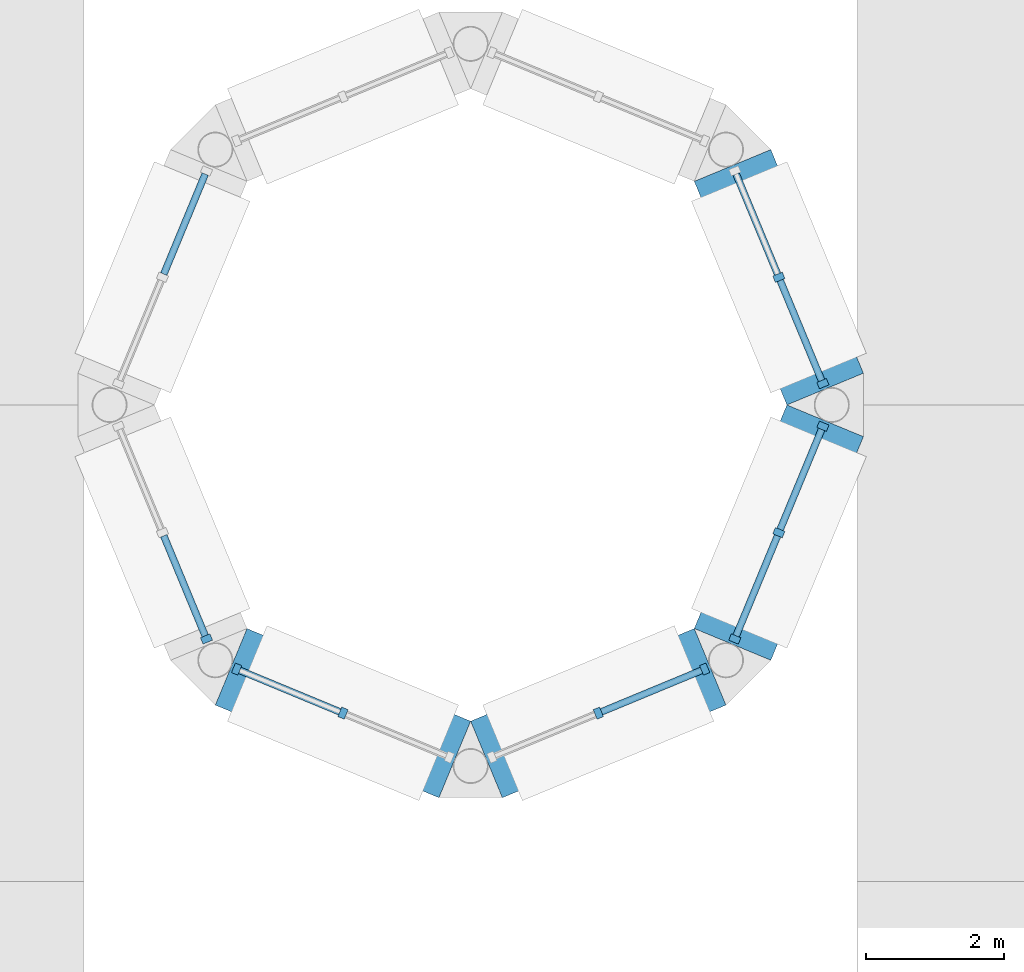
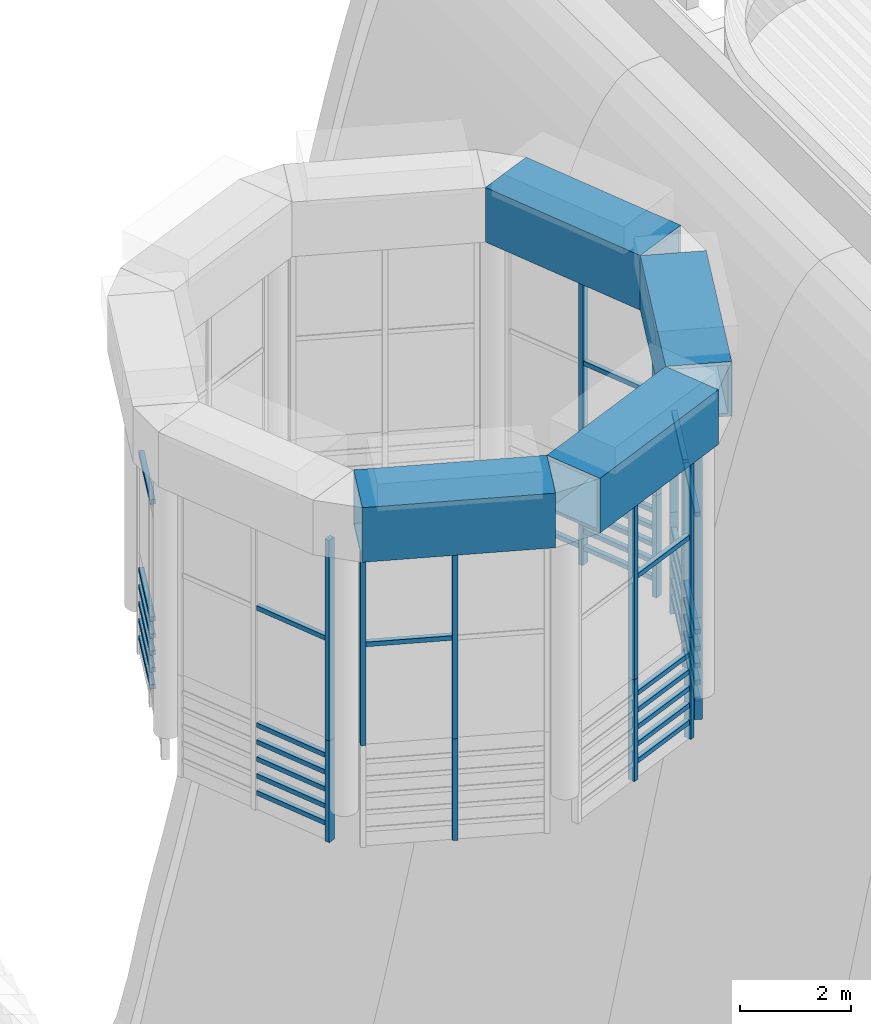
# One storey, part 2 of 14: 57 members, 4 beams, 12 elements without a shape of their own.
"""IFC4 building model written with IfcOpenShell, lengths in metres."""

from ifc_helpers import new_model, si_unit, direction, frame, origin, origin_2d, place, context, subcontext, project, spatial, rectangle, hollow_rectangle, extrude, material, material_profile, profile_set, type_object, element, aggregate, save


model = new_model("IFC4")

# Units and contexts
model_context = context("Model", 3, precision=1e-05, world=origin(), true_north=direction((0.0, 1.0)))
body_context = subcontext(model_context, "Body", "Model", "MODEL_VIEW")
ifc_project = project(units=[si_unit("LENGTHUNIT", "METRE"), si_unit("AREAUNIT", "SQUARE_METRE"), si_unit("VOLUMEUNIT", "CUBIC_METRE"), si_unit("PLANEANGLEUNIT", "RADIAN"), si_unit("MASSUNIT", "GRAM", prefix="KILO")], contexts=[model_context])

# Site, building, storey
site_placement = place(None, origin())
site = spatial("IfcSite", under=ifc_project, at=site_placement, CompositionType="ELEMENT")
building_placement = place(site_placement, origin())
building = spatial("IfcBuilding", under=site, at=building_placement, Name="Cobrizo Arcos Hotel Tower", CompositionType="ELEMENT")
storey_placement = place(building_placement, frame((0.0, 0.0, 290.0)))
storey = spatial("IfcBuildingStorey", under=building, at=storey_placement, Name="RF", CompositionType="ELEMENT", Elevation=290.0)

# Beams
ifc_material_1 = material(Name="Steel ASTM A572 Grade 50", Category="steel")
ifc_material_profile_1 = material_profile(ifc_material_1, hollow_rectangle(XDim=1.199951171875, YDim=1.199951171875, WallThickness=0.070068359375, at=origin_2d()), Name="BOX 1200X1200X70")
ifc_profile_set_1 = profile_set([ifc_material_profile_1], Name="Steel ASTM A572 Grade 50")
beam_type = type_object("IfcBeamType", Name="BOX 1200X1200X70 drum ring beam", PredefinedType="BEAM", material=ifc_profile_set_1)
for number, where, z_axis, x_axis, name in (
    (1, (5.137451171875, 0.2294921875, 6.39990234375), (-0.382642737497, 0.923896387827, 0.0), (-0.923896387827, -0.382642737497, 0.0), "Drum ring beam RB1, tier 3, no. 0"),
    (2, (-3.470458984375, -3.795166015625, 6.39990234375), (0.923896387827, -0.382642737497, 0.0), (0.382642737497, 0.923896387827, 0.0), "Drum ring beam RB6, tier 3, no. 5"),
    (3, (0.2294921875, -5.137451171875, 6.39990234375), (0.923896387827, 0.382642737497, 0.0), (-0.382642737497, 0.923896387827, 0.0), "Drum ring beam RB7, tier 3, no. 6"),
    (4, (3.795166015625, -3.470458984375, 6.39990234375), (0.382642737497, 0.923896387827, 0.0), (-0.923896387827, 0.382642737497, 0.0), "Drum ring beam RB8, tier 3, no. 7"),
):
    element("IfcBeam", number, at=place(storey_placement, frame(where, z_axis=z_axis, x_axis=x_axis)), inside=storey, type_object=beam_type, Name=name, PredefinedType="BEAM", context=body_context, shape_type="SweptSolid", body=[
        extrude(hollow_rectangle(XDim=1.199951171875, YDim=1.199951171875, WallThickness=0.070068359375, at=origin_2d()), origin(), (0.0, 0.0, 1.0), 3.5078125),
    ])

# Curtain wall, members
ifc_material_2 = material(Name="Aluminium 6063-T6 anodised bronze", Category="aluminium")
curtain_wall_type = type_object("IfcCurtainWallType", Name="CW-D plant louvre wall", PredefinedType="NOTDEFINED", material=ifc_material_2)
curtain_wall_1_placement = place(storey_placement, origin())
curtain_wall_1 = element("IfcCurtainWall", 5, at=curtain_wall_1_placement, inside=storey, type_object=curtain_wall_type, Name="CW-D drum louvre wall t3-1", PredefinedType="NOTDEFINED")
ifc_material_profile_2 = material_profile(ifc_material_2, rectangle(XDim=0.14990234375, YDim=0.10009765625, at=origin_2d()), Name="CW-D mullion 150x100")
ifc_profile_set_2 = profile_set([ifc_material_profile_2], Name="Aluminium 6063-T6 anodised bronze")
member_type_1 = type_object("IfcMemberType", Name="CW-D mullion 150x100", PredefinedType="MULLION", material=ifc_profile_set_2)
member_1_placement = place(storey_placement, frame((5.104736328125, 0.30859375, -0.833251953125), z_axis=(0.0, 0.0, 1.0), x_axis=(0.923879532511, 0.382683432365, 0.0)))
member_1 = element("IfcMember", 6, at=member_1_placement, type_object=member_type_1, Name="CW-D mullion 1", PredefinedType="MULLION", context=body_context, shape_type="SweptSolid", body=[
    extrude(rectangle(XDim=0.14990234375, YDim=0.10009765625, at=origin_2d()), origin(), (0.0, 0.0, 1.0), 2.233154296875),
])
member_2_placement = place(storey_placement, frame((4.46630859375, 1.85009765625, -0.833251953125), z_axis=(0.0, 0.0, 1.0), x_axis=(0.923879532511, 0.382683432365, 0.0)))
member_2 = element("IfcMember", 7, at=member_2_placement, type_object=member_type_1, Name="CW-D mullion 2", PredefinedType="MULLION", context=body_context, shape_type="SweptSolid", body=[
    extrude(rectangle(XDim=0.14990234375, YDim=0.10009765625, at=origin_2d()), origin(), (0.0, 0.0, 1.0), 2.233154296875),
])

curtain_wall_2_placement = place(storey_placement, origin())
curtain_wall_2 = element("IfcCurtainWall", 8, at=curtain_wall_2_placement, inside=storey, type_object=curtain_wall_type, Name="CW-D drum louvre wall t3L-1", PredefinedType="NOTDEFINED")
member_3_placement = place(storey_placement, frame((5.104736328125, 0.30859375, 1.39990234375), z_axis=(0.0, 0.0, 1.0), x_axis=(0.923879532511, 0.382683432365, 0.0)))
member_3 = element("IfcMember", 9, at=member_3_placement, type_object=member_type_1, Name="CW-D mullion 1", PredefinedType="MULLION", context=body_context, shape_type="SweptSolid", body=[
    extrude(rectangle(XDim=0.14990234375, YDim=0.10009765625, at=origin_2d()), origin(), (0.0, 0.0, 1.0), 4.400146484375),
])
member_4_placement = place(storey_placement, frame((4.46630859375, 1.85009765625, 1.39990234375), z_axis=(0.0, 0.0, 1.0), x_axis=(0.923879532511, 0.382683432365, 0.0)))
member_4 = element("IfcMember", 10, at=member_4_placement, type_object=member_type_1, Name="CW-D mullion 2", PredefinedType="MULLION", context=body_context, shape_type="SweptSolid", body=[
    extrude(rectangle(XDim=0.14990234375, YDim=0.10009765625, at=origin_2d()), origin(), (0.0, 0.0, 1.0), 4.400146484375),
])

# Curtain wall, member
curtain_wall_3_placement = place(storey_placement, origin())
curtain_wall_3 = element("IfcCurtainWall", 11, at=curtain_wall_3_placement, inside=storey, type_object=curtain_wall_type, Name="CW-D drum louvre wall t3-5", PredefinedType="NOTDEFINED")
member_5_placement = place(storey_placement, frame((-3.827880859375, -3.391357421875, -0.833251953125), z_axis=(0.0, 0.0, 1.0), x_axis=(-0.923879532511, -0.382683432365, 0.0)))
member_5 = element("IfcMember", 12, at=member_5_placement, type_object=member_type_1, Name="CW-D mullion 3", PredefinedType="MULLION", context=body_context, shape_type="SweptSolid", body=[
    extrude(rectangle(XDim=0.14990234375, YDim=0.10009765625, at=origin_2d()), origin(), (0.0, 0.0, 1.0), 2.233154296875),
])

curtain_wall_4_placement = place(storey_placement, origin())
curtain_wall_4 = element("IfcCurtainWall", 13, at=curtain_wall_4_placement, inside=storey, type_object=curtain_wall_type, Name="CW-D drum louvre wall t3L-5", PredefinedType="NOTDEFINED")
member_6_placement = place(storey_placement, frame((-3.827880859375, -3.391357421875, 1.39990234375), z_axis=(0.0, 0.0, 1.0), x_axis=(-0.923879532511, -0.382683432365, 0.0)))
member_6 = element("IfcMember", 14, at=member_6_placement, type_object=member_type_1, Name="CW-D mullion 3", PredefinedType="MULLION", context=body_context, shape_type="SweptSolid", body=[
    extrude(rectangle(XDim=0.14990234375, YDim=0.10009765625, at=origin_2d()), origin(), (0.0, 0.0, 1.0), 4.400146484375),
])

curtain_wall_5_placement = place(storey_placement, origin())
curtain_wall_5 = element("IfcCurtainWall", 15, at=curtain_wall_5_placement, inside=storey, type_object=curtain_wall_type, Name="CW-D drum louvre wall t3-6", PredefinedType="NOTDEFINED")
member_7_placement = place(storey_placement, frame((-1.85009765625, -4.46630859375, -0.833251953125), z_axis=(0.0, 0.0, 1.0), x_axis=(-0.382683432365, -0.923879532511, 0.0)))
member_7 = element("IfcMember", 16, at=member_7_placement, type_object=member_type_1, Name="CW-D mullion 2", PredefinedType="MULLION", context=body_context, shape_type="SweptSolid", body=[
    extrude(rectangle(XDim=0.14990234375, YDim=0.10009765625, at=origin_2d()), origin(), (0.0, 0.0, 1.0), 2.233154296875),
])
aggregate(curtain_wall_5, [member_7])

# Curtain wall, members
curtain_wall_6_placement = place(storey_placement, origin())
curtain_wall_6 = element("IfcCurtainWall", 17, at=curtain_wall_6_placement, inside=storey, type_object=curtain_wall_type, Name="CW-D drum louvre wall t3L-6", PredefinedType="NOTDEFINED")
member_8_placement = place(storey_placement, frame((-3.391357421875, -3.827880859375, 1.39990234375), z_axis=(0.0, 0.0, 1.0), x_axis=(-0.382683432365, -0.923879532511, 0.0)))
member_8 = element("IfcMember", 18, at=member_8_placement, type_object=member_type_1, Name="CW-D mullion 1", PredefinedType="MULLION", context=body_context, shape_type="SweptSolid", body=[
    extrude(rectangle(XDim=0.14990234375, YDim=0.10009765625, at=origin_2d()), origin(), (0.0, 0.0, 1.0), 4.400146484375),
])
member_9_placement = place(storey_placement, frame((-1.85009765625, -4.46630859375, 1.39990234375), z_axis=(0.0, 0.0, 1.0), x_axis=(-0.382683432365, -0.923879532511, 0.0)))
member_9 = element("IfcMember", 19, at=member_9_placement, type_object=member_type_1, Name="CW-D mullion 2", PredefinedType="MULLION", context=body_context, shape_type="SweptSolid", body=[
    extrude(rectangle(XDim=0.14990234375, YDim=0.10009765625, at=origin_2d()), origin(), (0.0, 0.0, 1.0), 4.400146484375),
])

curtain_wall_7_placement = place(storey_placement, origin())
curtain_wall_7 = element("IfcCurtainWall", 20, at=curtain_wall_7_placement, inside=storey, type_object=curtain_wall_type, Name="CW-D drum louvre wall t3-7", PredefinedType="NOTDEFINED")
member_10_placement = place(storey_placement, frame((1.85009765625, -4.46630859375, -0.833251953125), z_axis=(0.0, 0.0, 1.0), x_axis=(0.382683432365, -0.923879532511, 0.0)))
member_10 = element("IfcMember", 21, at=member_10_placement, type_object=member_type_1, Name="CW-D mullion 2", PredefinedType="MULLION", context=body_context, shape_type="SweptSolid", body=[
    extrude(rectangle(XDim=0.14990234375, YDim=0.10009765625, at=origin_2d()), origin(), (0.0, 0.0, 1.0), 2.233154296875),
])
member_11_placement = place(storey_placement, frame((3.391357421875, -3.827880859375, -0.833251953125), z_axis=(0.0, 0.0, 1.0), x_axis=(0.382683432365, -0.923879532511, 0.0)))
member_11 = element("IfcMember", 22, at=member_11_placement, type_object=member_type_1, Name="CW-D mullion 3", PredefinedType="MULLION", context=body_context, shape_type="SweptSolid", body=[
    extrude(rectangle(XDim=0.14990234375, YDim=0.10009765625, at=origin_2d()), origin(), (0.0, 0.0, 1.0), 2.233154296875),
])

curtain_wall_8_placement = place(storey_placement, origin())
curtain_wall_8 = element("IfcCurtainWall", 23, at=curtain_wall_8_placement, inside=storey, type_object=curtain_wall_type, Name="CW-D drum louvre wall t3L-7", PredefinedType="NOTDEFINED")
member_12_placement = place(storey_placement, frame((1.85009765625, -4.46630859375, 1.39990234375), z_axis=(0.0, 0.0, 1.0), x_axis=(0.382683432365, -0.923879532511, 0.0)))
member_12 = element("IfcMember", 24, at=member_12_placement, type_object=member_type_1, Name="CW-D mullion 2", PredefinedType="MULLION", context=body_context, shape_type="SweptSolid", body=[
    extrude(rectangle(XDim=0.14990234375, YDim=0.10009765625, at=origin_2d()), origin(), (0.0, 0.0, 1.0), 4.400146484375),
])
member_13_placement = place(storey_placement, frame((3.391357421875, -3.827880859375, 1.39990234375), z_axis=(0.0, 0.0, 1.0), x_axis=(0.382683432365, -0.923879532511, 0.0)))
member_13 = element("IfcMember", 25, at=member_13_placement, type_object=member_type_1, Name="CW-D mullion 3", PredefinedType="MULLION", context=body_context, shape_type="SweptSolid", body=[
    extrude(rectangle(XDim=0.14990234375, YDim=0.10009765625, at=origin_2d()), origin(), (0.0, 0.0, 1.0), 4.400146484375),
])

curtain_wall_9_placement = place(storey_placement, origin())
curtain_wall_9 = element("IfcCurtainWall", 26, at=curtain_wall_9_placement, inside=storey, type_object=curtain_wall_type, Name="CW-D drum louvre wall t3-8", PredefinedType="NOTDEFINED")
member_14_placement = place(storey_placement, frame((3.827880859375, -3.391357421875, -0.833251953125), z_axis=(0.0, 0.0, 1.0), x_axis=(0.923879532511, -0.382683432365, 0.0)))
member_14 = element("IfcMember", 27, at=member_14_placement, type_object=member_type_1, Name="CW-D mullion 1", PredefinedType="MULLION", context=body_context, shape_type="SweptSolid", body=[
    extrude(rectangle(XDim=0.14990234375, YDim=0.10009765625, at=origin_2d()), origin(), (0.0, 0.0, 1.0), 2.233154296875),
])
member_15_placement = place(storey_placement, frame((4.46630859375, -1.85009765625, -0.833251953125), z_axis=(0.0, 0.0, 1.0), x_axis=(0.923879532511, -0.382683432365, 0.0)))
member_15 = element("IfcMember", 28, at=member_15_placement, type_object=member_type_1, Name="CW-D mullion 2", PredefinedType="MULLION", context=body_context, shape_type="SweptSolid", body=[
    extrude(rectangle(XDim=0.14990234375, YDim=0.10009765625, at=origin_2d()), origin(), (0.0, 0.0, 1.0), 2.233154296875),
])
member_16_placement = place(storey_placement, frame((5.104736328125, -0.30859375, -0.833251953125), z_axis=(0.0, 0.0, 1.0), x_axis=(0.923879532511, -0.382683432365, 0.0)))
member_16 = element("IfcMember", 29, at=member_16_placement, type_object=member_type_1, Name="CW-D mullion 3", PredefinedType="MULLION", context=body_context, shape_type="SweptSolid", body=[
    extrude(rectangle(XDim=0.14990234375, YDim=0.10009765625, at=origin_2d()), origin(), (0.0, 0.0, 1.0), 2.233154296875),
])

curtain_wall_10_placement = place(storey_placement, origin())
curtain_wall_10 = element("IfcCurtainWall", 30, at=curtain_wall_10_placement, inside=storey, type_object=curtain_wall_type, Name="CW-D drum louvre wall t3L-8", PredefinedType="NOTDEFINED")
member_17_placement = place(storey_placement, frame((3.827880859375, -3.391357421875, 1.39990234375), z_axis=(0.0, 0.0, 1.0), x_axis=(0.923879532511, -0.382683432365, 0.0)))
member_17 = element("IfcMember", 31, at=member_17_placement, type_object=member_type_1, Name="CW-D mullion 1", PredefinedType="MULLION", context=body_context, shape_type="SweptSolid", body=[
    extrude(rectangle(XDim=0.14990234375, YDim=0.10009765625, at=origin_2d()), origin(), (0.0, 0.0, 1.0), 4.400146484375),
])
member_18_placement = place(storey_placement, frame((4.46630859375, -1.85009765625, 1.39990234375), z_axis=(0.0, 0.0, 1.0), x_axis=(0.923879532511, -0.382683432365, 0.0)))
member_18 = element("IfcMember", 32, at=member_18_placement, type_object=member_type_1, Name="CW-D mullion 2", PredefinedType="MULLION", context=body_context, shape_type="SweptSolid", body=[
    extrude(rectangle(XDim=0.14990234375, YDim=0.10009765625, at=origin_2d()), origin(), (0.0, 0.0, 1.0), 4.400146484375),
])
member_19_placement = place(storey_placement, frame((5.104736328125, -0.30859375, 1.39990234375), z_axis=(0.0, 0.0, 1.0), x_axis=(0.923879532511, -0.382683432365, 0.0)))
member_19 = element("IfcMember", 33, at=member_19_placement, type_object=member_type_1, Name="CW-D mullion 3", PredefinedType="MULLION", context=body_context, shape_type="SweptSolid", body=[
    extrude(rectangle(XDim=0.14990234375, YDim=0.10009765625, at=origin_2d()), origin(), (0.0, 0.0, 1.0), 4.400146484375),
])

# Member
ifc_material_profile_3 = material_profile(ifc_material_2, rectangle(XDim=0.10009765625, YDim=0.10009765625, at=origin_2d()), Name="CW-D transom 100x100")
ifc_profile_set_3 = profile_set([ifc_material_profile_3], Name="Aluminium 6063-T6 anodised bronze")
member_type_2 = type_object("IfcMemberType", Name="CW-D transom 100x100", PredefinedType="USERDEFINED", material=ifc_profile_set_3)
member_20_placement = place(storey_placement, frame((5.085693359375, 0.354736328125, -0.461181640625), z_axis=(-0.382768797092, 0.923844168663, 0.0), x_axis=(-0.923844168663, -0.382768797092, 0.0)))
member_20 = element("IfcMember", 34, at=member_20_placement, type_object=member_type_2, Name="CW-D transom 1-1", ObjectType="TRANSOM", PredefinedType="USERDEFINED", context=body_context, shape_type="SweptSolid", body=[
    extrude(rectangle(XDim=0.10009765625, YDim=0.10009765625, at=origin_2d()), origin(), (0.0, 0.0, 1.0), 1.568359375),
])

member_21_placement = place(storey_placement, frame((5.085693359375, 0.354736328125, -0.0888671875), z_axis=(-0.382768797092, 0.923844168663, 0.0), x_axis=(-0.923844168663, -0.382768797092, 0.0)))
member_21 = element("IfcMember", 35, at=member_21_placement, type_object=member_type_2, Name="CW-D transom 1-2", ObjectType="TRANSOM", PredefinedType="USERDEFINED", context=body_context, shape_type="SweptSolid", body=[
    extrude(rectangle(XDim=0.10009765625, YDim=0.10009765625, at=origin_2d()), origin(), (0.0, 0.0, 1.0), 1.568359375),
])

member_22_placement = place(storey_placement, frame((5.085693359375, 0.354736328125, 0.283203125), z_axis=(-0.382768797092, 0.923844168663, 0.0), x_axis=(-0.923844168663, -0.382768797092, 0.0)))
member_22 = element("IfcMember", 36, at=member_22_placement, type_object=member_type_2, Name="CW-D transom 1-3", ObjectType="TRANSOM", PredefinedType="USERDEFINED", context=body_context, shape_type="SweptSolid", body=[
    extrude(rectangle(XDim=0.10009765625, YDim=0.10009765625, at=origin_2d()), origin(), (0.0, 0.0, 1.0), 1.568359375),
])

member_23_placement = place(storey_placement, frame((5.085693359375, 0.354736328125, 0.655517578125), z_axis=(-0.382768797092, 0.923844168663, 0.0), x_axis=(-0.923844168663, -0.382768797092, 0.0)))
member_23 = element("IfcMember", 37, at=member_23_placement, type_object=member_type_2, Name="CW-D transom 1-4", ObjectType="TRANSOM", PredefinedType="USERDEFINED", context=body_context, shape_type="SweptSolid", body=[
    extrude(rectangle(XDim=0.10009765625, YDim=0.10009765625, at=origin_2d()), origin(), (0.0, 0.0, 1.0), 1.568359375),
])

member_24_placement = place(storey_placement, frame((5.085693359375, 0.354736328125, 1.02783203125), z_axis=(-0.382768797092, 0.923844168663, 0.0), x_axis=(-0.923844168663, -0.382768797092, 0.0)))
member_24 = element("IfcMember", 38, at=member_24_placement, type_object=member_type_2, Name="CW-D transom 1-5", ObjectType="TRANSOM", PredefinedType="USERDEFINED", context=body_context, shape_type="SweptSolid", body=[
    extrude(rectangle(XDim=0.10009765625, YDim=0.10009765625, at=origin_2d()), origin(), (0.0, 0.0, 1.0), 1.568359375),
])

member_25_placement = place(storey_placement, frame((4.447265625, 1.896240234375, -0.461181640625), z_axis=(-0.382768797092, 0.923844168663, 0.0), x_axis=(-0.923844168663, -0.382768797092, 0.0)))
member_25 = element("IfcMember", 39, at=member_25_placement, type_object=member_type_2, Name="CW-D transom 2-1", ObjectType="TRANSOM", PredefinedType="USERDEFINED", context=body_context, shape_type="SweptSolid", body=[
    extrude(rectangle(XDim=0.10009765625, YDim=0.10009765625, at=origin_2d()), origin(), (0.0, 0.0, 1.0), 1.568359375),
])

aggregate(curtain_wall_1, [member_1, member_2, member_20, member_21, member_22, member_23, member_24, member_25])

member_26_placement = place(storey_placement, frame((5.085693359375, 0.354736328125, 3.60009765625), z_axis=(-0.382768797092, 0.923844168663, 0.0), x_axis=(-0.923844168663, -0.382768797092, 0.0)))
member_26 = element("IfcMember", 40, at=member_26_placement, type_object=member_type_2, Name="CW-D transom 1-1", ObjectType="TRANSOM", PredefinedType="USERDEFINED", context=body_context, shape_type="SweptSolid", body=[
    extrude(rectangle(XDim=0.10009765625, YDim=0.10009765625, at=origin_2d()), origin(), (0.0, 0.0, 1.0), 1.568359375),
])

aggregate(curtain_wall_2, [member_3, member_4, member_26])

# Curtain wall, members
curtain_wall_11_placement = place(storey_placement, origin())
curtain_wall_11 = element("IfcCurtainWall", 41, at=curtain_wall_11_placement, inside=storey, type_object=curtain_wall_type, Name="CW-D drum louvre wall t3-4", PredefinedType="NOTDEFINED")
member_27_placement = place(storey_placement, frame((-3.846923828125, 3.34521484375, -0.461181640625), z_axis=(-0.382768797092, -0.923844168663, 0.0), x_axis=(0.923844168663, -0.382768797092, 0.0)))
member_27 = element("IfcMember", 42, at=member_27_placement, type_object=member_type_2, Name="CW-D transom 1-1", ObjectType="TRANSOM", PredefinedType="USERDEFINED", context=body_context, shape_type="SweptSolid", body=[
    extrude(rectangle(XDim=0.10009765625, YDim=0.10009765625, at=origin_2d()), origin(), (0.0, 0.0, 1.0), 1.568359375),
])
member_28_placement = place(storey_placement, frame((-3.846923828125, 3.34521484375, -0.0888671875), z_axis=(-0.382768797092, -0.923844168663, 0.0), x_axis=(0.923844168663, -0.382768797092, 0.0)))
member_28 = element("IfcMember", 43, at=member_28_placement, type_object=member_type_2, Name="CW-D transom 1-2", ObjectType="TRANSOM", PredefinedType="USERDEFINED", context=body_context, shape_type="SweptSolid", body=[
    extrude(rectangle(XDim=0.10009765625, YDim=0.10009765625, at=origin_2d()), origin(), (0.0, 0.0, 1.0), 1.568359375),
])
member_29_placement = place(storey_placement, frame((-3.846923828125, 3.34521484375, 0.283203125), z_axis=(-0.382768797092, -0.923844168663, 0.0), x_axis=(0.923844168663, -0.382768797092, 0.0)))
member_29 = element("IfcMember", 44, at=member_29_placement, type_object=member_type_2, Name="CW-D transom 1-3", ObjectType="TRANSOM", PredefinedType="USERDEFINED", context=body_context, shape_type="SweptSolid", body=[
    extrude(rectangle(XDim=0.10009765625, YDim=0.10009765625, at=origin_2d()), origin(), (0.0, 0.0, 1.0), 1.568359375),
])
member_30_placement = place(storey_placement, frame((-3.846923828125, 3.34521484375, 0.655517578125), z_axis=(-0.382768797092, -0.923844168663, 0.0), x_axis=(0.923844168663, -0.382768797092, 0.0)))
member_30 = element("IfcMember", 45, at=member_30_placement, type_object=member_type_2, Name="CW-D transom 1-4", ObjectType="TRANSOM", PredefinedType="USERDEFINED", context=body_context, shape_type="SweptSolid", body=[
    extrude(rectangle(XDim=0.10009765625, YDim=0.10009765625, at=origin_2d()), origin(), (0.0, 0.0, 1.0), 1.568359375),
])
member_31_placement = place(storey_placement, frame((-3.846923828125, 3.34521484375, 1.02783203125), z_axis=(-0.382768797092, -0.923844168663, 0.0), x_axis=(0.923844168663, -0.382768797092, 0.0)))
member_31 = element("IfcMember", 46, at=member_31_placement, type_object=member_type_2, Name="CW-D transom 1-5", ObjectType="TRANSOM", PredefinedType="USERDEFINED", context=body_context, shape_type="SweptSolid", body=[
    extrude(rectangle(XDim=0.10009765625, YDim=0.10009765625, at=origin_2d()), origin(), (0.0, 0.0, 1.0), 1.568359375),
])
aggregate(curtain_wall_11, [member_27, member_28, member_29, member_30, member_31])

# Curtain wall, member
curtain_wall_12_placement = place(storey_placement, origin())
curtain_wall_12 = element("IfcCurtainWall", 47, at=curtain_wall_12_placement, inside=storey, type_object=curtain_wall_type, Name="CW-D drum louvre wall t3L-4", PredefinedType="NOTDEFINED")
member_32_placement = place(storey_placement, frame((-3.846923828125, 3.34521484375, 3.60009765625), z_axis=(-0.382768797092, -0.923844168663, 0.0), x_axis=(0.923844168663, -0.382768797092, 0.0)))
member_32 = element("IfcMember", 48, at=member_32_placement, type_object=member_type_2, Name="CW-D transom 1-1", ObjectType="TRANSOM", PredefinedType="USERDEFINED", context=body_context, shape_type="SweptSolid", body=[
    extrude(rectangle(XDim=0.10009765625, YDim=0.10009765625, at=origin_2d()), origin(), (0.0, 0.0, 1.0), 1.568359375),
])
aggregate(curtain_wall_12, [member_32])

# Member
member_33_placement = place(storey_placement, frame((-4.447265625, -1.896240234375, -0.461181640625), z_axis=(0.382768797092, -0.923844168663, 0.0), x_axis=(0.923844168663, 0.382768797092, 0.0)))
member_33 = element("IfcMember", 49, at=member_33_placement, type_object=member_type_2, Name="CW-D transom 2-1", ObjectType="TRANSOM", PredefinedType="USERDEFINED", context=body_context, shape_type="SweptSolid", body=[
    extrude(rectangle(XDim=0.10009765625, YDim=0.10009765625, at=origin_2d()), origin(), (0.0, 0.0, 1.0), 1.568359375),
])

member_34_placement = place(storey_placement, frame((-4.447265625, -1.896240234375, -0.0888671875), z_axis=(0.382768797092, -0.923844168663, 0.0), x_axis=(0.923844168663, 0.382768797092, 0.0)))
member_34 = element("IfcMember", 50, at=member_34_placement, type_object=member_type_2, Name="CW-D transom 2-2", ObjectType="TRANSOM", PredefinedType="USERDEFINED", context=body_context, shape_type="SweptSolid", body=[
    extrude(rectangle(XDim=0.10009765625, YDim=0.10009765625, at=origin_2d()), origin(), (0.0, 0.0, 1.0), 1.568359375),
])

member_35_placement = place(storey_placement, frame((-4.447265625, -1.896240234375, 0.283203125), z_axis=(0.382768797092, -0.923844168663, 0.0), x_axis=(0.923844168663, 0.382768797092, 0.0)))
member_35 = element("IfcMember", 51, at=member_35_placement, type_object=member_type_2, Name="CW-D transom 2-3", ObjectType="TRANSOM", PredefinedType="USERDEFINED", context=body_context, shape_type="SweptSolid", body=[
    extrude(rectangle(XDim=0.10009765625, YDim=0.10009765625, at=origin_2d()), origin(), (0.0, 0.0, 1.0), 1.568359375),
])

member_36_placement = place(storey_placement, frame((-4.447265625, -1.896240234375, 0.655517578125), z_axis=(0.382768797092, -0.923844168663, 0.0), x_axis=(0.923844168663, 0.382768797092, 0.0)))
member_36 = element("IfcMember", 52, at=member_36_placement, type_object=member_type_2, Name="CW-D transom 2-4", ObjectType="TRANSOM", PredefinedType="USERDEFINED", context=body_context, shape_type="SweptSolid", body=[
    extrude(rectangle(XDim=0.10009765625, YDim=0.10009765625, at=origin_2d()), origin(), (0.0, 0.0, 1.0), 1.568359375),
])

member_37_placement = place(storey_placement, frame((-4.447265625, -1.896240234375, 1.02783203125), z_axis=(0.382768797092, -0.923844168663, 0.0), x_axis=(0.923844168663, 0.382768797092, 0.0)))
member_37 = element("IfcMember", 53, at=member_37_placement, type_object=member_type_2, Name="CW-D transom 2-5", ObjectType="TRANSOM", PredefinedType="USERDEFINED", context=body_context, shape_type="SweptSolid", body=[
    extrude(rectangle(XDim=0.10009765625, YDim=0.10009765625, at=origin_2d()), origin(), (0.0, 0.0, 1.0), 1.568359375),
])

aggregate(curtain_wall_3, [member_5, member_33, member_34, member_35, member_36, member_37])

member_38_placement = place(storey_placement, frame((-4.447265625, -1.896240234375, 3.60009765625), z_axis=(0.382768797092, -0.923844168663, 0.0), x_axis=(0.923844168663, 0.382768797092, 0.0)))
member_38 = element("IfcMember", 54, at=member_38_placement, type_object=member_type_2, Name="CW-D transom 2-1", ObjectType="TRANSOM", PredefinedType="USERDEFINED", context=body_context, shape_type="SweptSolid", body=[
    extrude(rectangle(XDim=0.10009765625, YDim=0.10009765625, at=origin_2d()), origin(), (0.0, 0.0, 1.0), 1.568359375),
])

aggregate(curtain_wall_4, [member_6, member_38])

member_39_placement = place(storey_placement, frame((-3.34521484375, -3.846923828125, 3.60009765625), z_axis=(0.923844168663, -0.382768797092, 0.0), x_axis=(0.382768797092, 0.923844168663, 0.0)))
member_39 = element("IfcMember", 55, at=member_39_placement, type_object=member_type_2, Name="CW-D transom 1-1", ObjectType="TRANSOM", PredefinedType="USERDEFINED", context=body_context, shape_type="SweptSolid", body=[
    extrude(rectangle(XDim=0.10009765625, YDim=0.10009765625, at=origin_2d()), origin(), (0.0, 0.0, 1.0), 1.568359375),
])

aggregate(curtain_wall_6, [member_8, member_9, member_39])

member_40_placement = place(storey_placement, frame((1.896240234375, -4.447265625, -0.461181640625), z_axis=(0.923844168663, 0.382768797092, 0.0), x_axis=(-0.382768797092, 0.923844168663, 0.0)))
member_40 = element("IfcMember", 56, at=member_40_placement, type_object=member_type_2, Name="CW-D transom 2-1", ObjectType="TRANSOM", PredefinedType="USERDEFINED", context=body_context, shape_type="SweptSolid", body=[
    extrude(rectangle(XDim=0.10009765625, YDim=0.10009765625, at=origin_2d()), origin(), (0.0, 0.0, 1.0), 1.568359375),
])

member_41_placement = place(storey_placement, frame((1.896240234375, -4.447265625, -0.0888671875), z_axis=(0.923844168663, 0.382768797092, 0.0), x_axis=(-0.382768797092, 0.923844168663, 0.0)))
member_41 = element("IfcMember", 57, at=member_41_placement, type_object=member_type_2, Name="CW-D transom 2-2", ObjectType="TRANSOM", PredefinedType="USERDEFINED", context=body_context, shape_type="SweptSolid", body=[
    extrude(rectangle(XDim=0.10009765625, YDim=0.10009765625, at=origin_2d()), origin(), (0.0, 0.0, 1.0), 1.568359375),
])

member_42_placement = place(storey_placement, frame((1.896240234375, -4.447265625, 0.283203125), z_axis=(0.923844168663, 0.382768797092, 0.0), x_axis=(-0.382768797092, 0.923844168663, 0.0)))
member_42 = element("IfcMember", 58, at=member_42_placement, type_object=member_type_2, Name="CW-D transom 2-3", ObjectType="TRANSOM", PredefinedType="USERDEFINED", context=body_context, shape_type="SweptSolid", body=[
    extrude(rectangle(XDim=0.10009765625, YDim=0.10009765625, at=origin_2d()), origin(), (0.0, 0.0, 1.0), 1.568359375),
])

member_43_placement = place(storey_placement, frame((1.896240234375, -4.447265625, 0.655517578125), z_axis=(0.923844168663, 0.382768797092, 0.0), x_axis=(-0.382768797092, 0.923844168663, 0.0)))
member_43 = element("IfcMember", 59, at=member_43_placement, type_object=member_type_2, Name="CW-D transom 2-4", ObjectType="TRANSOM", PredefinedType="USERDEFINED", context=body_context, shape_type="SweptSolid", body=[
    extrude(rectangle(XDim=0.10009765625, YDim=0.10009765625, at=origin_2d()), origin(), (0.0, 0.0, 1.0), 1.568359375),
])

member_44_placement = place(storey_placement, frame((1.896240234375, -4.447265625, 1.02783203125), z_axis=(0.923844168663, 0.382768797092, 0.0), x_axis=(-0.382768797092, 0.923844168663, 0.0)))
member_44 = element("IfcMember", 60, at=member_44_placement, type_object=member_type_2, Name="CW-D transom 2-5", ObjectType="TRANSOM", PredefinedType="USERDEFINED", context=body_context, shape_type="SweptSolid", body=[
    extrude(rectangle(XDim=0.10009765625, YDim=0.10009765625, at=origin_2d()), origin(), (0.0, 0.0, 1.0), 1.568359375),
])

aggregate(curtain_wall_7, [member_10, member_11, member_40, member_41, member_42, member_43, member_44])

member_45_placement = place(storey_placement, frame((1.896240234375, -4.447265625, 3.60009765625), z_axis=(0.923844168663, 0.382768797092, 0.0), x_axis=(-0.382768797092, 0.923844168663, 0.0)))
member_45 = element("IfcMember", 61, at=member_45_placement, type_object=member_type_2, Name="CW-D transom 2-1", ObjectType="TRANSOM", PredefinedType="USERDEFINED", context=body_context, shape_type="SweptSolid", body=[
    extrude(rectangle(XDim=0.10009765625, YDim=0.10009765625, at=origin_2d()), origin(), (0.0, 0.0, 1.0), 1.568359375),
])

aggregate(curtain_wall_8, [member_12, member_13, member_45])

member_46_placement = place(storey_placement, frame((3.846923828125, -3.34521484375, -0.461181640625), z_axis=(0.382768797092, 0.923844168663, 0.0), x_axis=(-0.923844168663, 0.382768797092, 0.0)))
member_46 = element("IfcMember", 62, at=member_46_placement, type_object=member_type_2, Name="CW-D transom 1-1", ObjectType="TRANSOM", PredefinedType="USERDEFINED", context=body_context, shape_type="SweptSolid", body=[
    extrude(rectangle(XDim=0.10009765625, YDim=0.10009765625, at=origin_2d()), origin(), (0.0, 0.0, 1.0), 1.568359375),
])

member_47_placement = place(storey_placement, frame((3.846923828125, -3.34521484375, -0.0888671875), z_axis=(0.382768797092, 0.923844168663, 0.0), x_axis=(-0.923844168663, 0.382768797092, 0.0)))
member_47 = element("IfcMember", 63, at=member_47_placement, type_object=member_type_2, Name="CW-D transom 1-2", ObjectType="TRANSOM", PredefinedType="USERDEFINED", context=body_context, shape_type="SweptSolid", body=[
    extrude(rectangle(XDim=0.10009765625, YDim=0.10009765625, at=origin_2d()), origin(), (0.0, 0.0, 1.0), 1.568359375),
])

member_48_placement = place(storey_placement, frame((3.846923828125, -3.34521484375, 0.283203125), z_axis=(0.382768797092, 0.923844168663, 0.0), x_axis=(-0.923844168663, 0.382768797092, 0.0)))
member_48 = element("IfcMember", 64, at=member_48_placement, type_object=member_type_2, Name="CW-D transom 1-3", ObjectType="TRANSOM", PredefinedType="USERDEFINED", context=body_context, shape_type="SweptSolid", body=[
    extrude(rectangle(XDim=0.10009765625, YDim=0.10009765625, at=origin_2d()), origin(), (0.0, 0.0, 1.0), 1.568359375),
])

member_49_placement = place(storey_placement, frame((3.846923828125, -3.34521484375, 0.655517578125), z_axis=(0.382768797092, 0.923844168663, 0.0), x_axis=(-0.923844168663, 0.382768797092, 0.0)))
member_49 = element("IfcMember", 65, at=member_49_placement, type_object=member_type_2, Name="CW-D transom 1-4", ObjectType="TRANSOM", PredefinedType="USERDEFINED", context=body_context, shape_type="SweptSolid", body=[
    extrude(rectangle(XDim=0.10009765625, YDim=0.10009765625, at=origin_2d()), origin(), (0.0, 0.0, 1.0), 1.568359375),
])

member_50_placement = place(storey_placement, frame((3.846923828125, -3.34521484375, 1.02783203125), z_axis=(0.382768797092, 0.923844168663, 0.0), x_axis=(-0.923844168663, 0.382768797092, 0.0)))
member_50 = element("IfcMember", 66, at=member_50_placement, type_object=member_type_2, Name="CW-D transom 1-5", ObjectType="TRANSOM", PredefinedType="USERDEFINED", context=body_context, shape_type="SweptSolid", body=[
    extrude(rectangle(XDim=0.10009765625, YDim=0.10009765625, at=origin_2d()), origin(), (0.0, 0.0, 1.0), 1.568359375),
])

member_51_placement = place(storey_placement, frame((4.4853515625, -1.8037109375, -0.461181640625), z_axis=(0.382768797092, 0.923844168663, 0.0), x_axis=(-0.923844168663, 0.382768797092, 0.0)))
member_51 = element("IfcMember", 67, at=member_51_placement, type_object=member_type_2, Name="CW-D transom 2-1", ObjectType="TRANSOM", PredefinedType="USERDEFINED", context=body_context, shape_type="SweptSolid", body=[
    extrude(rectangle(XDim=0.10009765625, YDim=0.10009765625, at=origin_2d()), origin(), (0.0, 0.0, 1.0), 1.568359375),
])

member_52_placement = place(storey_placement, frame((4.4853515625, -1.8037109375, -0.0888671875), z_axis=(0.382768797092, 0.923844168663, 0.0), x_axis=(-0.923844168663, 0.382768797092, 0.0)))
member_52 = element("IfcMember", 68, at=member_52_placement, type_object=member_type_2, Name="CW-D transom 2-2", ObjectType="TRANSOM", PredefinedType="USERDEFINED", context=body_context, shape_type="SweptSolid", body=[
    extrude(rectangle(XDim=0.10009765625, YDim=0.10009765625, at=origin_2d()), origin(), (0.0, 0.0, 1.0), 1.568359375),
])

member_53_placement = place(storey_placement, frame((4.4853515625, -1.8037109375, 0.283203125), z_axis=(0.382768797092, 0.923844168663, 0.0), x_axis=(-0.923844168663, 0.382768797092, 0.0)))
member_53 = element("IfcMember", 69, at=member_53_placement, type_object=member_type_2, Name="CW-D transom 2-3", ObjectType="TRANSOM", PredefinedType="USERDEFINED", context=body_context, shape_type="SweptSolid", body=[
    extrude(rectangle(XDim=0.10009765625, YDim=0.10009765625, at=origin_2d()), origin(), (0.0, 0.0, 1.0), 1.568359375),
])

member_54_placement = place(storey_placement, frame((4.4853515625, -1.8037109375, 0.655517578125), z_axis=(0.382768797092, 0.923844168663, 0.0), x_axis=(-0.923844168663, 0.382768797092, 0.0)))
member_54 = element("IfcMember", 70, at=member_54_placement, type_object=member_type_2, Name="CW-D transom 2-4", ObjectType="TRANSOM", PredefinedType="USERDEFINED", context=body_context, shape_type="SweptSolid", body=[
    extrude(rectangle(XDim=0.10009765625, YDim=0.10009765625, at=origin_2d()), origin(), (0.0, 0.0, 1.0), 1.568359375),
])

member_55_placement = place(storey_placement, frame((4.4853515625, -1.8037109375, 1.02783203125), z_axis=(0.382768797092, 0.923844168663, 0.0), x_axis=(-0.923844168663, 0.382768797092, 0.0)))
member_55 = element("IfcMember", 71, at=member_55_placement, type_object=member_type_2, Name="CW-D transom 2-5", ObjectType="TRANSOM", PredefinedType="USERDEFINED", context=body_context, shape_type="SweptSolid", body=[
    extrude(rectangle(XDim=0.10009765625, YDim=0.10009765625, at=origin_2d()), origin(), (0.0, 0.0, 1.0), 1.568359375),
])

aggregate(curtain_wall_9, [member_14, member_15, member_16, member_46, member_47, member_48, member_49, member_50, member_51, member_52, member_53, member_54, member_55])

member_56_placement = place(storey_placement, frame((3.846923828125, -3.34521484375, 3.60009765625), z_axis=(0.382768797092, 0.923844168663, 0.0), x_axis=(-0.923844168663, 0.382768797092, 0.0)))
member_56 = element("IfcMember", 72, at=member_56_placement, type_object=member_type_2, Name="CW-D transom 1-1", ObjectType="TRANSOM", PredefinedType="USERDEFINED", context=body_context, shape_type="SweptSolid", body=[
    extrude(rectangle(XDim=0.10009765625, YDim=0.10009765625, at=origin_2d()), origin(), (0.0, 0.0, 1.0), 1.568359375),
])

member_57_placement = place(storey_placement, frame((4.4853515625, -1.8037109375, 3.60009765625), z_axis=(0.382768797092, 0.923844168663, 0.0), x_axis=(-0.923844168663, 0.382768797092, 0.0)))
member_57 = element("IfcMember", 73, at=member_57_placement, type_object=member_type_2, Name="CW-D transom 2-1", ObjectType="TRANSOM", PredefinedType="USERDEFINED", context=body_context, shape_type="SweptSolid", body=[
    extrude(rectangle(XDim=0.10009765625, YDim=0.10009765625, at=origin_2d()), origin(), (0.0, 0.0, 1.0), 1.568359375),
])

aggregate(curtain_wall_10, [member_17, member_18, member_19, member_56, member_57])

save(model, "model.ifc")
